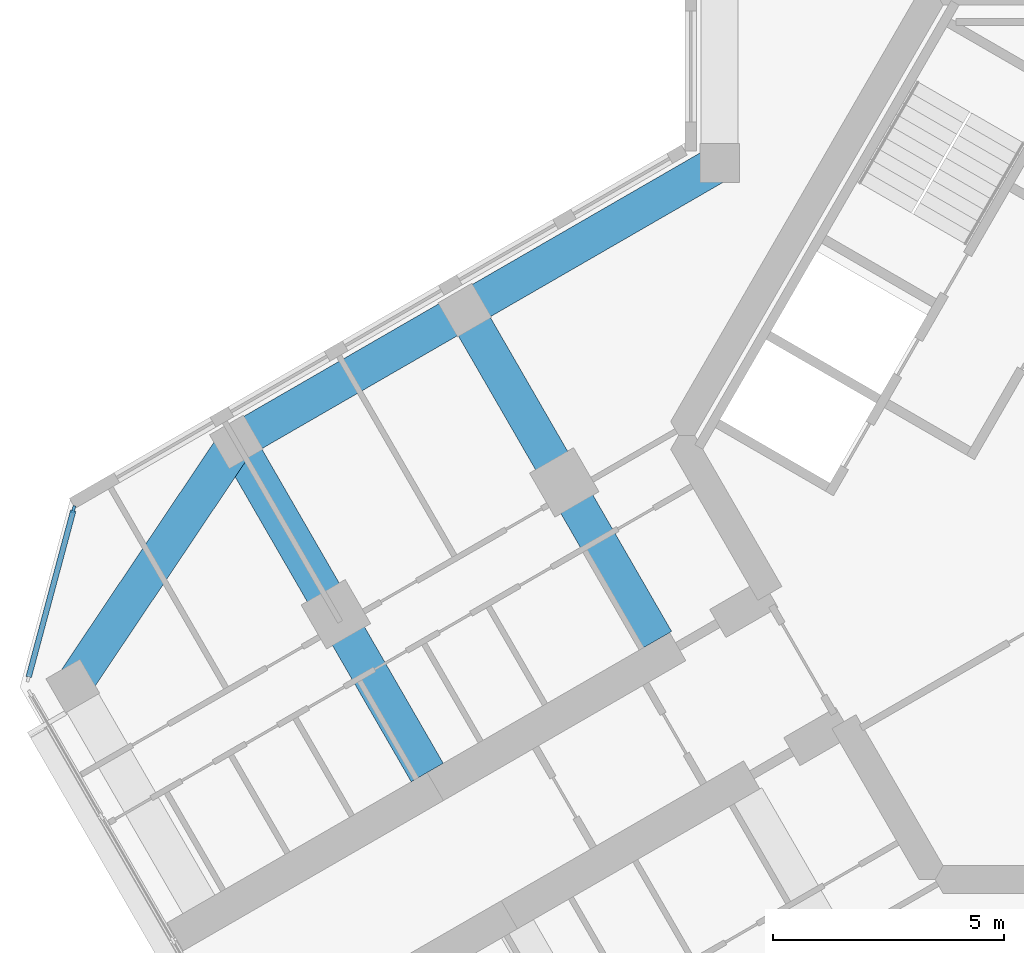
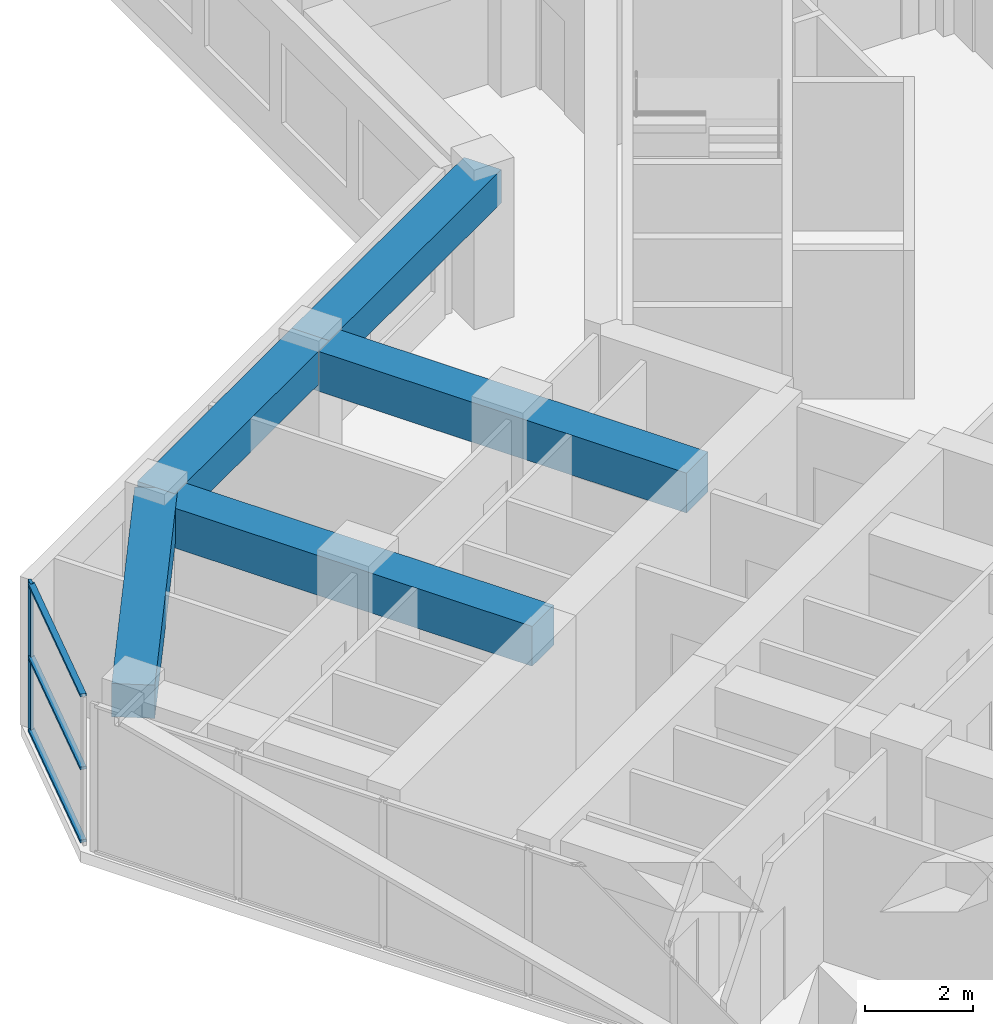
# One storey, part 3 of 16: 5 beams, 4 members, 1 element without a shape of its own.
"""IFC4 building model written with IfcOpenShell, lengths in metres."""

from ifc_helpers import new_model, si_unit, direction, frame, origin, origin_2d, place, context, subcontext, project, spatial, rectangle, extrude, material, material_profile, profile_set, type_object, element, aggregate, save


model = new_model("IFC4")

# Units and contexts
model_context = context("Model", 3, precision=1e-05, world=origin(), true_north=direction((0.0, 1.0)))
body_context = subcontext(model_context, "Body", "Model", "MODEL_VIEW")
ifc_project = project(units=[si_unit("LENGTHUNIT", "METRE"), si_unit("AREAUNIT", "SQUARE_METRE"), si_unit("VOLUMEUNIT", "CUBIC_METRE"), si_unit("PLANEANGLEUNIT", "RADIAN"), si_unit("MASSUNIT", "GRAM", prefix="KILO")], contexts=[model_context])

# Site, building, storey
site_placement = place(None, origin())
site = spatial("IfcSite", under=ifc_project, at=site_placement, CompositionType="ELEMENT")
building_placement = place(site_placement, origin())
building = spatial("IfcBuilding", under=site, at=building_placement, Name="Kosmar Iwan School Tower", CompositionType="ELEMENT")
storey_placement = place(building_placement, frame((0.0, 0.0, 242.39990234375)))
storey = spatial("IfcBuildingStorey", under=building, at=storey_placement, Name="L61", CompositionType="ELEMENT", Elevation=242.39990234375)

# Curtain wall, member
ifc_material_1 = material(Name="Dark glass in black aluminium frame", Category="aluminium")
curtain_wall_type = type_object("IfcCurtainWallType", Name="Chamfer curtain wall dark glass", PredefinedType="USERDEFINED", material=ifc_material_1)
curtain_wall_placement = place(storey_placement, origin())
curtain_wall = element("IfcCurtainWall", 1, at=curtain_wall_placement, inside=storey, type_object=curtain_wall_type, Name="Curtain wall L61-F10", ObjectType="FACETED CURTAIN WALL", PredefinedType="USERDEFINED")
ifc_material_2 = material(Name="Black anodised aluminium", Category="aluminium")
ifc_material_profile_1 = material_profile(ifc_material_2, rectangle(XDim=0.06005859375, YDim=0.159912109375, at=origin_2d()), Name="MULLION 60x160")
ifc_profile_set_1 = profile_set([ifc_material_profile_1], Name="Black anodised aluminium")
member_type_1 = type_object("IfcMemberType", Name="Mullion 60x160", PredefinedType="MULLION", material=ifc_profile_set_1)
member_1_placement = place(storey_placement, frame((-24.163818359375, -1.59814453125, 0.0), z_axis=(0.0, 0.0, 1.0), x_axis=(0.965925875495, -0.258818861462, 0.0)))
member_1 = element("IfcMember", 2, at=member_1_placement, type_object=member_type_1, Name="CW2 mullion 1", PredefinedType="MULLION", context=body_context, shape_type="SweptSolid", body=[
    extrude(rectangle(XDim=0.06005859375, YDim=0.159912109375, at=origin_2d()), origin(), (0.0, 0.0, 1.0), 3.35009765625),
])

# Beams
ifc_material_3 = material(Name="Concrete C50/60", Category="concrete")
ifc_material_profile_2 = material_profile(ifc_material_3, rectangle(XDim=0.800048828125, YDim=0.75, at=origin_2d()), Name="RC 800x750")
ifc_profile_set_2 = profile_set([ifc_material_profile_2], Name="Concrete C50/60")
beam_type_1 = type_object("IfcBeamType", Name="RC edge beam 800x750", PredefinedType="BEAM", material=ifc_profile_set_2)
beam_1_placement = place(storey_placement, frame((-10.199951171875, 5.888916015625, 2.97509765625), z_axis=(-0.866030912664, -0.49999045822, 0.0), x_axis=(0.49999045822, -0.866030912664, 0.0)))
element("IfcBeam", 3, at=beam_1_placement, inside=storey, type_object=beam_type_1, Name="Edge beam BR1", PredefinedType="BEAM", context=body_context, shape_type="SweptSolid", body=[
    extrude(rectangle(XDim=0.800048828125, YDim=0.75, at=origin_2d()), origin(), (0.0, 0.0, 1.0), 6.36083984375),
])
beam_2_placement = place(storey_placement, frame((-15.708740234375, 2.70849609375, 2.97509765625), z_axis=(-0.866025820012, -0.499999279071, 0.0), x_axis=(0.499999279071, -0.866025820012, 0.0)))
element("IfcBeam", 4, at=beam_2_placement, inside=storey, type_object=beam_type_1, Name="Edge beam BR2", PredefinedType="BEAM", context=body_context, shape_type="SweptSolid", body=[
    extrude(rectangle(XDim=0.800048828125, YDim=0.75, at=origin_2d()), origin(), (0.0, 0.0, 1.0), 5.7001953125),
])
ifc_material_4 = material(Name="Concrete C50/60", Category="concrete")
ifc_material_profile_3 = material_profile(ifc_material_4, rectangle(XDim=0.800048828125, YDim=0.75, at=origin_2d()), Name="RC 800x750")
ifc_profile_set_3 = profile_set([ifc_material_profile_3], Name="Concrete C50/60")
beam_type_2 = type_object("IfcBeamType", Name="RC tip beam 800x750", PredefinedType="BEAM", material=ifc_profile_set_3)
beam_3_placement = place(storey_placement, frame((-20.645263671875, -0.1416015625, 2.97509765625), z_axis=(-0.556827604145, -0.83062808721, 0.0), x_axis=(0.83062808721, -0.556827604145, 0.0)))
element("IfcBeam", 5, at=beam_3_placement, inside=storey, type_object=beam_type_2, Name="Tip beam BR", PredefinedType="BEAM", context=body_context, shape_type="SweptSolid", body=[
    extrude(rectangle(XDim=0.800048828125, YDim=0.75, at=origin_2d()), origin(), (0.0, 0.0, 1.0), 6.3505859375),
])
ifc_material_5 = material(Name="Concrete C50/60", Category="concrete")
ifc_material_profile_4 = material_profile(ifc_material_5, rectangle(XDim=0.800048828125, YDim=0.89990234375, at=origin_2d()), Name="RC 800x900")
ifc_profile_set_4 = profile_set([ifc_material_profile_4], Name="Concrete C50/60")
beam_type_3 = type_object("IfcBeamType", Name="RC transverse beam 800x900", PredefinedType="BEAM", material=ifc_profile_set_4)
beam_4_placement = place(storey_placement, frame((-15.708740234375, 2.70849609375, 2.900146484375), z_axis=(0.499996545922, -0.866027397988, 0.0), x_axis=(0.866027397988, 0.499996545922, 0.0)))
element("IfcBeam", 6, at=beam_4_placement, inside=storey, type_object=beam_type_3, Name="Transverse beam BR1", PredefinedType="BEAM", context=body_context, shape_type="SweptSolid", body=[
    extrude(rectangle(XDim=0.800048828125, YDim=0.89990234375, at=origin_2d()), origin(), (0.0, 0.0, 1.0), 8.25),
])
beam_5_placement = place(storey_placement, frame((-20.645263671875, -0.1416015625, 2.900146484375), z_axis=(0.500009360108, -0.866019999656, 0.0), x_axis=(0.866019999656, 0.500009360108, 0.0)))
element("IfcBeam", 7, at=beam_5_placement, inside=storey, type_object=beam_type_3, Name="Transverse beam BR2", PredefinedType="BEAM", context=body_context, shape_type="SweptSolid", body=[
    extrude(rectangle(XDim=0.800048828125, YDim=0.89990234375, at=origin_2d()), origin(), (0.0, 0.0, 1.0), 8.249755859375),
])

# Member
ifc_material_6 = material(Name="Black anodised aluminium", Category="aluminium")
ifc_material_profile_5 = material_profile(ifc_material_6, rectangle(XDim=0.1201171875, YDim=0.06005859375, at=origin_2d()), Name="TRANSOM 60x120")
ifc_profile_set_5 = profile_set([ifc_material_profile_5], Name="Black anodised aluminium")
member_type_2 = type_object("IfcMemberType", Name="Transom 60x120", PredefinedType="USERDEFINED", material=ifc_profile_set_5)
member_2_placement = place(storey_placement, frame((-24.17138671875, -1.627197265625, 0.030029296875), z_axis=(-0.258843273983, -0.965919333854, 0.0), x_axis=(0.965919333854, -0.258843273983, 0.0)))
member_2 = element("IfcMember", 8, at=member_2_placement, type_object=member_type_2, Name="CW2 transom 1.1", ObjectType="TRANSOM", PredefinedType="USERDEFINED", context=body_context, shape_type="SweptSolid", body=[
    extrude(rectangle(XDim=0.1201171875, YDim=0.06005859375, at=origin_2d()), origin(), (0.0, 0.0, 1.0), 3.718994140625),
])

member_3_placement = place(storey_placement, frame((-24.17138671875, -1.627197265625, 1.675048828125), z_axis=(-0.258843273983, -0.965919333854, 0.0), x_axis=(0.965919333854, -0.258843273983, 0.0)))
member_3 = element("IfcMember", 9, at=member_3_placement, type_object=member_type_2, Name="CW2 transom 1.2", ObjectType="TRANSOM", PredefinedType="USERDEFINED", context=body_context, shape_type="SweptSolid", body=[
    extrude(rectangle(XDim=0.1201171875, YDim=0.06005859375, at=origin_2d()), origin(), (0.0, 0.0, 1.0), 3.718994140625),
])

member_4_placement = place(storey_placement, frame((-24.17138671875, -1.627197265625, 3.320068359375), z_axis=(-0.258843273983, -0.965919333854, 0.0), x_axis=(0.965919333854, -0.258843273983, 0.0)))
member_4 = element("IfcMember", 10, at=member_4_placement, type_object=member_type_2, Name="CW2 transom 1.3", ObjectType="TRANSOM", PredefinedType="USERDEFINED", context=body_context, shape_type="SweptSolid", body=[
    extrude(rectangle(XDim=0.1201171875, YDim=0.06005859375, at=origin_2d()), origin(), (0.0, 0.0, 1.0), 3.718994140625),
])

aggregate(curtain_wall, [member_1, member_2, member_3, member_4])

save(model, "model.ifc")
